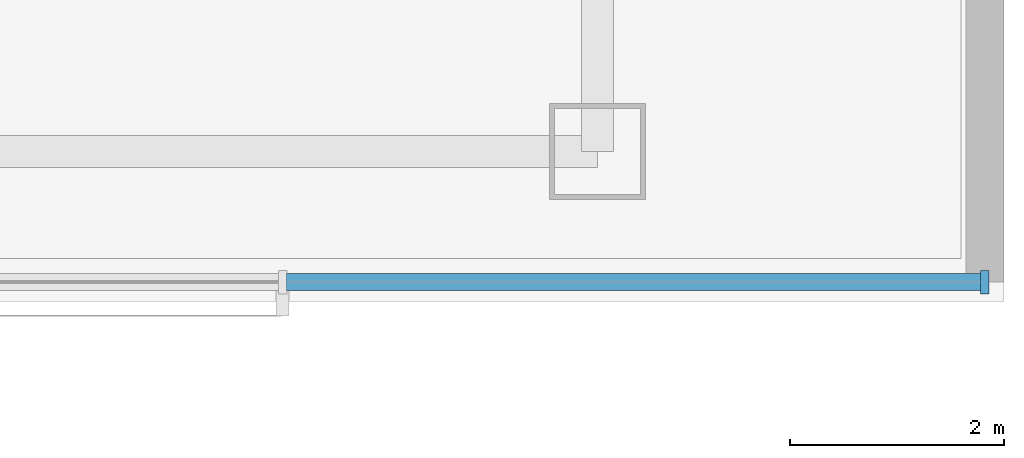
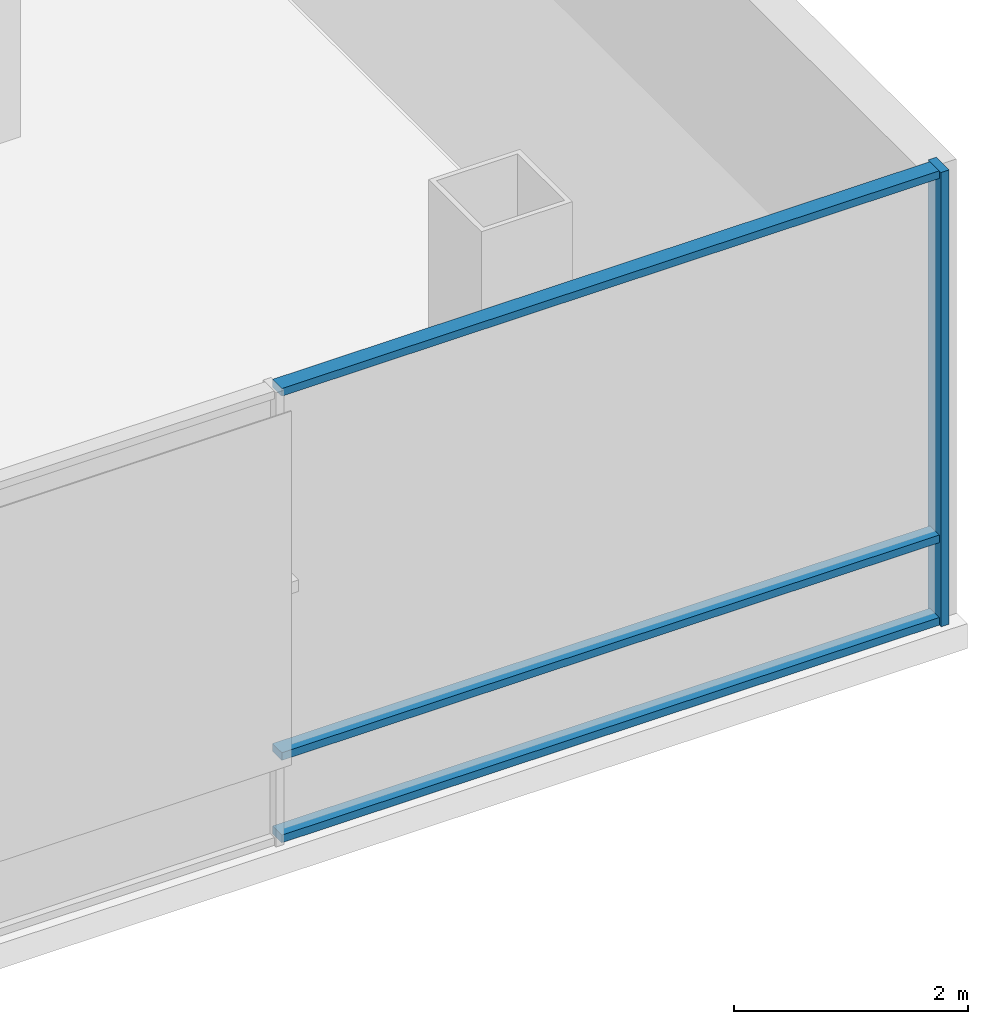
# One storey, part 7 of 20: 4 members, 1 element without a shape of its own.
"""IFC4 building model written with IfcOpenShell, lengths in metres."""

import ifcopenshell
import ifcopenshell.guid

model = None  # the IFC model being written
_history = None  # IfcOwnerHistory: only IFC2X3 demands one
_inside = {}  # id of a spatial element -> (the spatial element, [elements in it])
_under = {}  # id of a project, library or spatial element -> (it, [spatial elements below it])
_declared = {}  # id of a project -> (the project, [libraries it declares])
_typed = {}  # id of a type object -> (the type object, [elements of that type])
_made_of = {}  # id of a material, layer set ... -> (it, [elements and type objects made of it])


def new_model(schema):
    """Start an empty IFC model of exactly this schema.

    Asked for "IFC4X3", IfcOpenShell would pick the latest addendum, in which some entities
    have other attributes; the version numbers below select the first issue.
    IFC2X3 requires an IfcOwnerHistory on every rooted entity: one is made here for all.
    """
    global model, _history
    if schema == "IFC4X3":
        model = ifcopenshell.file(schema_version=(4, 3, 0, 0))
    else:
        model = ifcopenshell.file(schema=schema)
    _inside.clear()
    _under.clear()
    _declared.clear()
    _typed.clear()
    _made_of.clear()
    _history = None
    if model.schema == "IFC2X3":
        org = make("IfcOrganization", Name="unknown")
        user = make(
            "IfcPersonAndOrganization",
            ThePerson=make("IfcPerson", FamilyName="unknown"),
            TheOrganization=org,
        )
        app = make(
            "IfcApplication",
            ApplicationDeveloper=org,
            Version="unknown",
            ApplicationFullName="unknown",
            ApplicationIdentifier="unknown",
        )
        _history = make(
            "IfcOwnerHistory",
            OwningUser=user,
            OwningApplication=app,
            ChangeAction="ADDED",
            CreationDate=0,
        )
    return model


def make(cls, **values):
    """One entity of the class cls with the attributes given. An attribute that is None is left unset."""
    return model.create_entity(
        cls, **{name: value for name, value in values.items() if value is not None}
    )


def rooted(cls, **values):
    """An entity with a GlobalId (a new one), such as an element, a storey or a relation."""
    return make(cls, GlobalId=ifcopenshell.guid.new(), OwnerHistory=_history, **values)


def si_unit(unit_type, name, prefix=None):
    """IfcSIUnit, for example si_unit("LENGTHUNIT", "METRE", prefix="MILLI")."""
    return make("IfcSIUnit", UnitType=unit_type, Prefix=prefix, Name=name)


def assignment(units):
    """IfcUnitAssignment: the units of a project."""
    return None if units is None else make("IfcUnitAssignment", Units=units)


def point(xyz):
    """IfcCartesianPoint."""
    return None if xyz is None else make("IfcCartesianPoint", Coordinates=xyz)


def direction(xyz):
    """IfcDirection."""
    return None if xyz is None else make("IfcDirection", DirectionRatios=xyz)


def frame(location, z_axis=None, x_axis=None):
    """IfcAxis2Placement3D, a coordinate frame: its origin and axes. An axis left out is left unset."""
    return make(
        "IfcAxis2Placement3D",
        Location=point(location),
        Axis=direction(z_axis),
        RefDirection=direction(x_axis),
    )


def frame_2d(location, x_axis=None):
    """IfcAxis2Placement2D, a coordinate frame in the plane: its origin and x axis."""
    return make(
        "IfcAxis2Placement2D", Location=point(location), RefDirection=direction(x_axis)
    )


def origin():
    """The frame at (0, 0, 0) with its axes left unset."""
    return frame((0.0, 0.0, 0.0))


def origin_2d():
    """The frame at (0, 0) in the plane with its x axis left unset."""
    return frame_2d((0.0, 0.0))


def place(relative_to, where):
    """IfcLocalPlacement: puts the frame where relative to a parent placement (None: the world)."""
    return make(
        "IfcLocalPlacement", PlacementRelTo=relative_to, RelativePlacement=where
    )


def context(
    kind, dimensions, precision=None, world=None, true_north=None, identifier=None
):
    """IfcGeometricRepresentationContext, for example the 3D "Model" context."""
    return make(
        "IfcGeometricRepresentationContext",
        ContextIdentifier=identifier,
        ContextType=kind,
        CoordinateSpaceDimension=dimensions,
        Precision=precision,
        WorldCoordinateSystem=world,
        TrueNorth=true_north,
    )


def subcontext(parent, identifier, kind, view, scale=None):
    """IfcGeometricRepresentationSubContext, for example "Body" below "Model"."""
    return make(
        "IfcGeometricRepresentationSubContext",
        ContextIdentifier=identifier,
        ContextType=kind,
        ParentContext=parent,
        TargetScale=scale,
        TargetView=view,
    )


def project(units=None, contexts=None):
    """IfcProject with its units and contexts."""
    return rooted(
        "IfcProject",
        Name="project",
        RepresentationContexts=contexts,
        UnitsInContext=assignment(units),
    )


def spatial(cls, under=None, at=None, **own):
    """A site, building, storey or space (cls), placed at a placement, below another one or the project."""
    s = rooted(cls, ObjectPlacement=at, **own)
    if under is not None:
        _under.setdefault(under.id(), (under, []))[1].append(s)
    return s


def profile(cls, at=None, kind="AREA", **sizes):
    """A parametric profile (cls). Its sizes go by their IFC names, for example OverallWidth=200.0."""
    return make(cls, ProfileType=kind, Position=at, **sizes)


def rectangle(**sizes):
    """IfcRectangleProfileDef."""
    return profile("IfcRectangleProfileDef", **sizes)


def extrude(swept, where, along, depth):
    """IfcExtrudedAreaSolid: the profile swept, set in the frame where, extruded along a direction by depth."""
    return make(
        "IfcExtrudedAreaSolid",
        SweptArea=swept,
        Position=where,
        ExtrudedDirection=direction(along),
        Depth=depth,
    )


def shape(context_of_items, identifier, shape_type, items):
    """IfcShapeRepresentation: the items that make up one representation, for example the "Body"."""
    return make(
        "IfcShapeRepresentation",
        ContextOfItems=context_of_items,
        RepresentationIdentifier=identifier,
        RepresentationType=shape_type,
        Items=items,
    )


def material(Name=None, Category=None):
    """IfcMaterial."""
    return make("IfcMaterial", Name=Name, Category=Category)


def layer(
    of_material, thickness, ventilated=None, Name=None, Category=None, Priority=None
):
    """IfcMaterialLayer: one layer of a wall or slab, of a material (None: an air gap)."""
    return make(
        "IfcMaterialLayer",
        Material=of_material,
        LayerThickness=thickness,
        IsVentilated=ventilated,
        Name=Name,
        Category=Category,
        Priority=Priority,
    )


def layer_set(layers, Name=None):
    """IfcMaterialLayerSet."""
    return make("IfcMaterialLayerSet", MaterialLayers=layers, LayerSetName=Name)


def made_of(thing, what):
    """Note that an element or type object is made of a material, layer set ...; save() writes the relation."""
    if what is not None:
        _made_of.setdefault(what.id(), (what, []))[1].append(thing)
    return thing


def type_object(cls, material=None, **own):
    """A type object (cls), such as IfcWallType, which elements share."""
    return made_of(rooted(cls, **own), material)


def element(
    cls,
    number,
    at=None,
    inside=None,
    cuts=None,
    type_object=None,
    material=None,
    context=None,
    identifier="Body",
    shape_type=None,
    held_by="IfcProductDefinitionShape",
    body=None,
    shapes=None,
    **own,
):
    """One element of the class cls, such as IfcWall. Its Tag is "e" and its number.

    at: its placement. inside: the storey or other place that contains it. cuts: it is an
    opening in that element (IfcRelVoidsElement). A single representation is given by context,
    identifier, shape_type and body (its items); several are given by shapes. held_by: the class
    of the entity that holds the representations. save() writes the other relations.
    """
    e = rooted(cls, Tag="e%d" % number, ObjectPlacement=at, **own)
    if body is not None:
        shapes = [shape(context, identifier, shape_type, body)]
    if shapes is not None:
        e.Representation = make(held_by, Representations=shapes)
    if inside is not None:
        _inside.setdefault(inside.id(), (inside, []))[1].append(e)
    if cuts is not None:
        rooted(
            "IfcRelVoidsElement", RelatingBuildingElement=cuts, RelatedOpeningElement=e
        )
    if type_object is not None:
        _typed.setdefault(type_object.id(), (type_object, []))[1].append(e)
    return made_of(e, material)


def aggregate(whole, parts):
    """IfcRelAggregates: a whole, such as a stair, and the parts it consists of."""
    return rooted("IfcRelAggregates", RelatingObject=whole, RelatedObjects=parts)


def save(model, path):
    """Write the relations noted so far, then the file.

    IfcRelAggregates (storeys below a building ...), IfcRelContainedInSpatialStructure (elements
    in a storey), IfcRelDefinesByType, IfcRelAssociatesMaterial and IfcRelDeclares: one each for
    every whole, place, type object, material and project.
    """
    for whole, parts in _under.values():
        aggregate(whole, parts)
    for where, things in _inside.values():
        rooted(
            "IfcRelContainedInSpatialStructure",
            RelatedElements=things,
            RelatingStructure=where,
        )
    for kind, things in _typed.values():
        rooted("IfcRelDefinesByType", RelatedObjects=things, RelatingType=kind)
    for what, things in _made_of.values():
        rooted("IfcRelAssociatesMaterial", RelatedObjects=things, RelatingMaterial=what)
    for by, libraries in _declared.values():
        rooted("IfcRelDeclares", RelatingContext=by, RelatedDefinitions=libraries)
    model.write(path)


model = new_model("IFC4")

# Units and contexts
model_context = context("Model", 3, precision=1e-05, world=origin(), true_north=direction((0.0, 1.0)))
body_context = subcontext(model_context, "Body", "Model", "MODEL_VIEW")
ifc_project = project(units=[si_unit("LENGTHUNIT", "METRE"), si_unit("AREAUNIT", "SQUARE_METRE"), si_unit("VOLUMEUNIT", "CUBIC_METRE"), si_unit("PLANEANGLEUNIT", "RADIAN"), si_unit("MASSUNIT", "GRAM", prefix="KILO")], contexts=[model_context])

# Site, building, storey
site_placement = place(None, origin())
site = spatial("IfcSite", under=ifc_project, at=site_placement, CompositionType="ELEMENT")
building_placement = place(site_placement, origin())
building = spatial("IfcBuilding", under=site, at=building_placement, Name="Tharavind Bronze Gate", CompositionType="ELEMENT")
storey_placement = place(building_placement, frame((0.0, 0.0, 16.5)))
storey = spatial("IfcBuildingStorey", under=building, at=storey_placement, Name="L03", CompositionType="ELEMENT", Elevation=16.5)

# Curtain wall, members
ifc_material = material(Name="Anodised Bronze Aluminium", Category="aluminium")
ifc_layer = layer(ifc_material, 0.219970703125)
ifc_layer_set = layer_set([ifc_layer], Name="Anodised Bronze Aluminium")
curtain_wall_type = type_object("IfcCurtainWallType", Name="UNITISED CURTAIN WALL PODIUM", PredefinedType="USERDEFINED", material=ifc_layer_set)
curtain_wall_placement = place(storey_placement, origin())
curtain_wall = element("IfcCurtainWall", 1, at=curtain_wall_placement, inside=storey, type_object=curtain_wall_type, Name="L03 unitised curtain wall podium CW-L03-S1", ObjectType="UNITISED CURTAIN WALL", PredefinedType="USERDEFINED")
member_type_1 = type_object("IfcMemberType", Name="CURTAIN WALL MULLION 80X220", PredefinedType="MULLION", material=ifc_material)
member_1_placement = place(storey_placement, frame((33.820068359375, -27.02001953125, 0.0), z_axis=(0.0, 0.0, 1.0), x_axis=(1.0, 0.0, 0.0)))
member_1 = element("IfcMember", 2, at=member_1_placement, type_object=member_type_1, Name="CW-L03-S1 mullion 11", PredefinedType="MULLION", context=body_context, shape_type="SweptSolid", body=[
    extrude(rectangle(XDim=0.080078125, YDim=0.219970703125, at=origin_2d()), origin(), (0.0, 0.0, 1.0), 4.739990234375),
])
member_type_2 = type_object("IfcMemberType", Name="CURTAIN WALL TRANSOM 80X160", PredefinedType="USERDEFINED", material=ifc_material)
member_2_placement = place(storey_placement, frame((30.5380859375, -27.02001953125, 0.0), z_axis=(0.0, 0.0, 1.0), x_axis=(1.0, 0.0, 0.0)))
member_2 = element("IfcMember", 3, at=member_2_placement, type_object=member_type_2, Name="CW-L03-S1 transom TB10", ObjectType="TRANSOM", PredefinedType="USERDEFINED", context=body_context, shape_type="SweptSolid", body=[
    extrude(rectangle(XDim=6.49609375, YDim=0.159912109375, at=origin_2d()), origin(), (0.0, 0.0, 1.0), 0.080078125),
])
member_3_placement = place(storey_placement, frame((30.5380859375, -27.02001953125, 0.85986328125), z_axis=(0.0, 0.0, 1.0), x_axis=(1.0, 0.0, 0.0)))
member_3 = element("IfcMember", 4, at=member_3_placement, type_object=member_type_2, Name="CW-L03-S1 transom TS10", ObjectType="TRANSOM", PredefinedType="USERDEFINED", context=body_context, shape_type="SweptSolid", body=[
    extrude(rectangle(XDim=6.49609375, YDim=0.159912109375, at=origin_2d()), origin(), (0.0, 0.0, 1.0), 0.080078125),
])
member_4_placement = place(storey_placement, frame((30.5380859375, -27.02001953125, 4.659912109375), z_axis=(0.0, 0.0, 1.0), x_axis=(1.0, 0.0, 0.0)))
member_4 = element("IfcMember", 5, at=member_4_placement, type_object=member_type_2, Name="CW-L03-S1 transom TT10", ObjectType="TRANSOM", PredefinedType="USERDEFINED", context=body_context, shape_type="SweptSolid", body=[
    extrude(rectangle(XDim=6.49609375, YDim=0.159912109375, at=origin_2d()), origin(), (0.0, 0.0, 1.0), 0.080078125),
])
aggregate(curtain_wall, [member_1, member_2, member_3, member_4])

save(model, "model.ifc")
